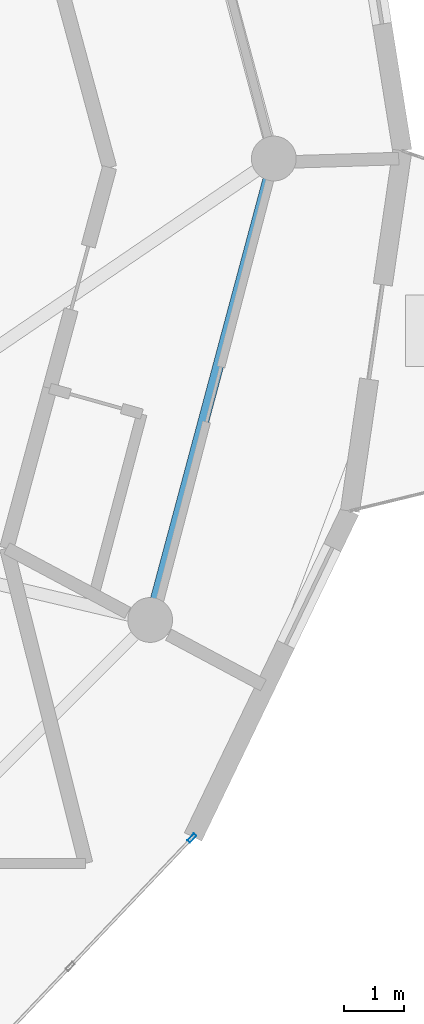
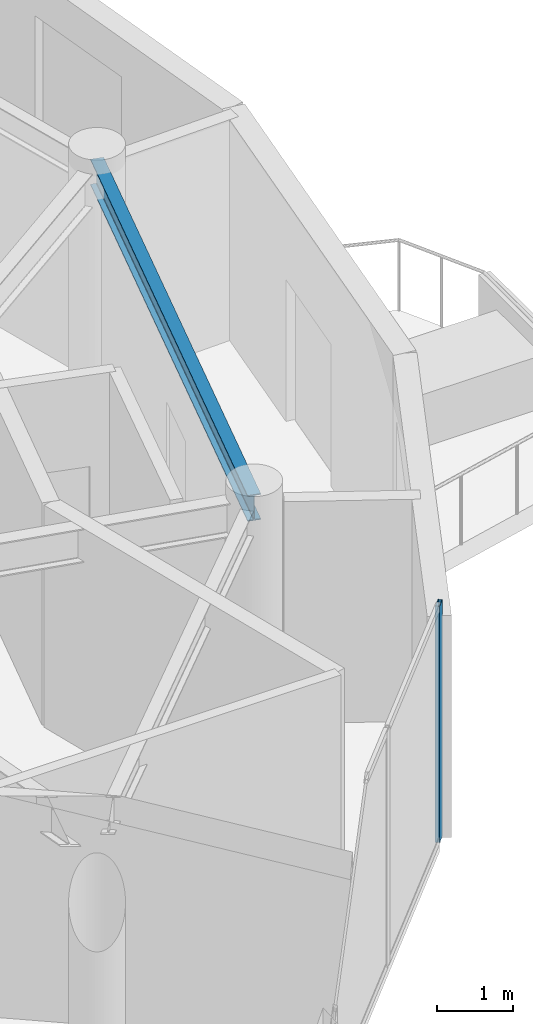
# One storey, part 11 of 22: 1 beam, 1 member, 1 element without a shape of its own.
"""IFC4 building model written with IfcOpenShell, lengths in metres."""

from ifc_helpers import new_model, si_unit, direction, frame, origin, origin_2d, place, context, subcontext, project, spatial, hollow_rectangle, i_section, extrude, source, transform, mapped, material, layer, layer_set, material_profile, profile_set, type_object, element, aggregate, save


model = new_model("IFC4")

# Units and contexts
model_context = context("Model", 3, precision=1e-05, world=origin(), true_north=direction((0.0, 1.0)))
body_context = subcontext(model_context, "Body", "Model", "MODEL_VIEW")
ifc_project = project(units=[si_unit("LENGTHUNIT", "METRE"), si_unit("AREAUNIT", "SQUARE_METRE"), si_unit("VOLUMEUNIT", "CUBIC_METRE"), si_unit("PLANEANGLEUNIT", "RADIAN"), si_unit("MASSUNIT", "GRAM", prefix="KILO")], contexts=[model_context])

# Site, building, storey
site_placement = place(None, origin())
site = spatial("IfcSite", under=ifc_project, at=site_placement, CompositionType="ELEMENT")
building_placement = place(site_placement, origin())
building = spatial("IfcBuilding", under=site, at=building_placement, Name="Solvirekh Grand Hotel", CompositionType="ELEMENT")
storey_placement = place(building_placement, frame((0.0, 0.0, 278.199951171875)))
storey = spatial("IfcBuildingStorey", under=building, at=storey_placement, Name="L72", CompositionType="ELEMENT", Elevation=278.199951171875)

# Beam
ifc_material_1 = material(Name="Steel S355", Category="steel")
ifc_material_profile_1 = material_profile(ifc_material_1, i_section(OverallWidth=0.180908203125, OverallDepth=0.4169921875, WebThickness=0.010009765625, FlangeThickness=0.01611328125, FilletRadius=0.011962890625, at=origin_2d()), Name="W410X85")
ifc_profile_set_1 = profile_set([ifc_material_profile_1], Name="Steel S355")
beam_type = type_object("IfcBeamType", Name="Spandrel_Ring_W410", PredefinedType="SPANDREL", material=ifc_profile_set_1)
beam_placement = place(storey_placement, frame((13.3798828125, -7.72509765625, 3.361083984375), z_axis=(0.258834757072, 0.965921616143, 0.0), x_axis=(-0.965921616143, 0.258834757072, 0.0)))
element("IfcBeam", 1, at=beam_placement, inside=storey, type_object=beam_type, Name="L72 perimeter spandrel beam 12", PredefinedType="SPANDREL", context=body_context, shape_type="SweptSolid", body=[
    extrude(i_section(OverallWidth=0.180908203125, OverallDepth=0.4169921875, WebThickness=0.010009765625, FlangeThickness=0.01611328125, FilletRadius=0.011962890625, at=origin_2d()), origin(), (0.0, 0.0, 1.0), 7.99755859375),
])

# Curtain wall, member
ifc_material_2 = material(Name="Anodized Bronze Aluminium 6063-T6", Category="aluminium")
ifc_layer = layer(ifc_material_2, 0.159912109375)
ifc_layer_set = layer_set([ifc_layer], Name="Anodized Bronze Aluminium 6063-T6")
curtain_wall_type = type_object("IfcCurtainWallType", Name="CW_Sys4_HighZoneFlushBronzeCW", PredefinedType="NOTDEFINED", material=ifc_layer_set)
curtain_wall_placement = place(storey_placement, origin())
curtain_wall = element("IfcCurtainWall", 2, at=curtain_wall_placement, inside=storey, type_object=curtain_wall_type, Name="L72 unitised bronze-glass curtain wall CW-L72-C03", PredefinedType="NOTDEFINED")
ifc_material_profile_2 = material_profile(ifc_material_2, hollow_rectangle(XDim=0.06005859375, YDim=0.159912109375, WallThickness=0.0048828125, at=origin_2d()), Name="ALU RHS 160X60X5")
ifc_profile_set_2 = profile_set([ifc_material_profile_2], Name="Anodized Bronze Aluminium 6063-T6")
member_type = type_object("IfcMemberType", Name="CWMullion_Sys4", PredefinedType="MULLION", material=ifc_profile_set_2)
shared_shape = source(origin(), body_context, "Body", "SweptSolid", [
    extrude(hollow_rectangle(XDim=0.06005859375, YDim=0.159912109375, WallThickness=0.0048828125, at=origin_2d()), origin(), (0.0, 0.0, 1.0), 3.800048828125),
])
member_placement = place(storey_placement, frame((14.078369140625, -11.377685546875, 0.0), z_axis=(0.0, 0.0, 1.0), x_axis=(-0.725654056171, 0.688059729066, 0.0)))
member = element("IfcMember", 3, at=member_placement, type_object=member_type, Name="U04 mullion 3", PredefinedType="MULLION", context=body_context, shape_type="MappedRepresentation", body=[
    mapped(shared_shape, transform((0.0, 0.0, 0.0), x_axis=(1.0, 0.0, 0.0), y_axis=(0.0, 1.0, 0.0), z_axis=(0.0, 0.0, 1.0), scale=1.0)),
])
aggregate(curtain_wall, [member])

save(model, "model.ifc")
